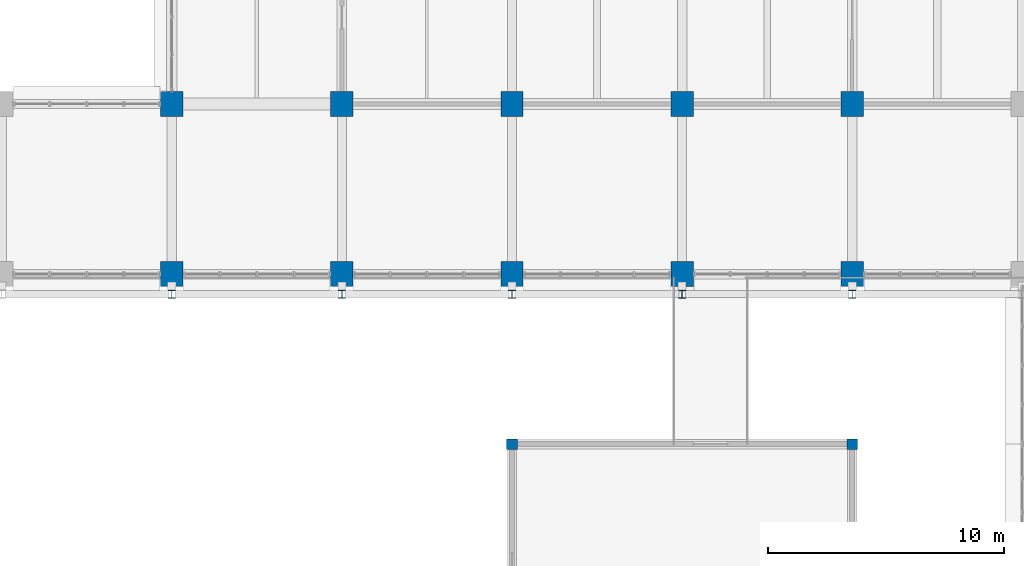
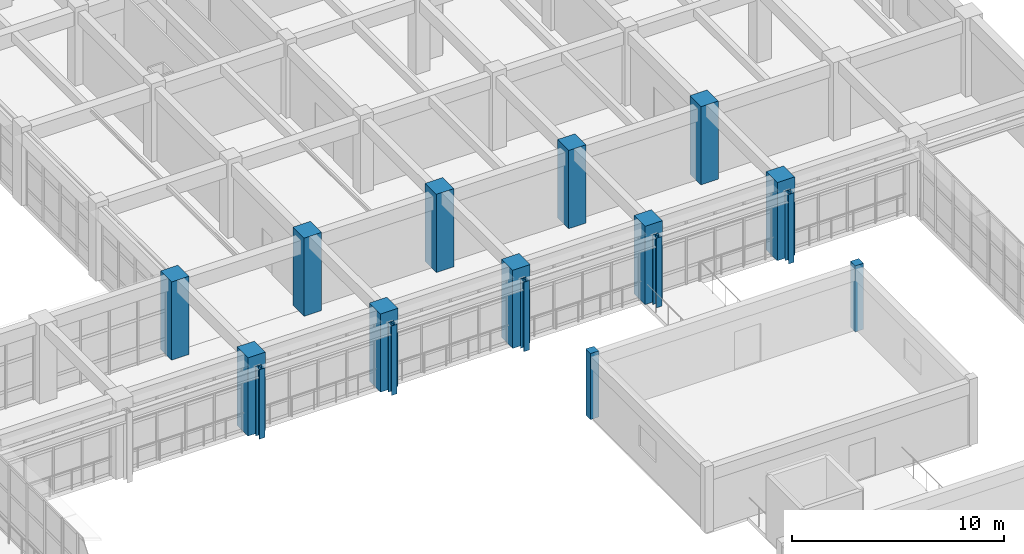
# One storey, part 8 of 171: 17 columns.
"""IFC4 building model written with IfcOpenShell, lengths in metres."""

from ifc_helpers import new_model, si_unit, direction, frame, origin, origin_2d, place, context, subcontext, project, spatial, rectangle, i_section, extrude, material, material_profile, profile_set, type_object, element, save


model = new_model("IFC4")

# Units and contexts
model_context = context("Model", 3, precision=1e-05, world=origin(), true_north=direction((0.0, 1.0)))
body_context = subcontext(model_context, "Body", "Model", "MODEL_VIEW")
ifc_project = project(units=[si_unit("LENGTHUNIT", "METRE"), si_unit("AREAUNIT", "SQUARE_METRE"), si_unit("VOLUMEUNIT", "CUBIC_METRE"), si_unit("PLANEANGLEUNIT", "RADIAN"), si_unit("MASSUNIT", "GRAM", prefix="KILO")], contexts=[model_context])

# Site, building, storey
site_placement = place(None, origin())
site = spatial("IfcSite", under=ifc_project, at=site_placement, CompositionType="ELEMENT")
building_placement = place(site_placement, origin())
building = spatial("IfcBuilding", under=site, at=building_placement, Name="Thalmaran Polytechnic", CompositionType="ELEMENT")
storey_placement = place(building_placement, frame((0.0, 0.0, 5.39990234375)))
storey = spatial("IfcBuildingStorey", under=building, at=storey_placement, Name="L01", CompositionType="ELEMENT", Elevation=5.39990234375)

# Columns
ifc_material_1 = material(Name="Concrete C40/50", Category="concrete")
ifc_material_profile_1 = material_profile(ifc_material_1, rectangle(XDim=0.449951171875, YDim=0.449951171875, at=origin_2d()), Name="RC 450x450")
ifc_profile_set_1 = profile_set([ifc_material_profile_1], Name="Concrete C40/50")
column_type_1 = type_object("IfcColumnType", Name="COL-C10", PredefinedType="COLUMN", material=ifc_profile_set_1)
for number, where, z_axis, x_axis, name in (
    (1, (144.0, 43.199951171875, 0.0), (0.0, 0.0, 1.0), (1.0, 0.0, 0.0), "POD4 Upper Column L01"),
    (2, (158.39990234375, 43.199951171875, 0.0), (0.0, 0.0, 1.0), (1.0, 0.0, 0.0), "POD4 Upper Column L01"),
):
    element("IfcColumn", number, at=place(storey_placement, frame(where, z_axis=z_axis, x_axis=x_axis)), inside=storey, type_object=column_type_1, Name=name, PredefinedType="COLUMN", context=body_context, shape_type="SweptSolid", body=[
        extrude(rectangle(XDim=0.449951171875, YDim=0.449951171875, at=origin_2d()), origin(), (0.0, 0.0, 1.0), 3.800048828125),
    ])
ifc_material_2 = material(Name="Steel S355", Category="steel")
ifc_material_profile_2 = material_profile(ifc_material_2, i_section(OverallWidth=0.300048828125, OverallDepth=0.340087890625, WebThickness=0.011962890625, FlangeThickness=0.021484375, at=origin_2d()), Name="HEB 340")
ifc_profile_set_2 = profile_set([ifc_material_profile_2], Name="Steel S355")
column_type_2 = type_object("IfcColumnType", Name="COL-SC1", PredefinedType="COLUMN", material=ifc_profile_set_2)
for number, where, z_axis, x_axis, name in (
    (3, (129.60009765625, 49.550048828125, 0.0), (0.0, 0.0, 1.0), (1.0, 0.0, 0.0), "Workshop Crane Runway Column L01 (18,7)"),
    (4, (136.800048828125, 49.550048828125, 0.0), (0.0, 0.0, 1.0), (1.0, 0.0, 0.0), "Workshop Crane Runway Column L01 (19,7)"),
    (5, (144.0, 49.550048828125, 0.0), (0.0, 0.0, 1.0), (1.0, 0.0, 0.0), "Workshop Crane Runway Column L01 (20,7)"),
    (6, (151.199951171875, 49.550048828125, 0.0), (0.0, 0.0, 1.0), (1.0, 0.0, 0.0), "Workshop Crane Runway Column L01 (21,7)"),
    (7, (158.39990234375, 49.550048828125, 0.0), (0.0, 0.0, 1.0), (1.0, 0.0, 0.0), "Workshop Crane Runway Column L01 (22,7)"),
):
    element("IfcColumn", number, at=place(storey_placement, frame(where, z_axis=z_axis, x_axis=x_axis)), inside=storey, type_object=column_type_2, Name=name, PredefinedType="COLUMN", context=body_context, shape_type="SweptSolid", body=[
        extrude(i_section(OverallWidth=0.300048828125, OverallDepth=0.340087890625, WebThickness=0.011962890625, FlangeThickness=0.021484375, at=origin_2d()), origin(), (0.0, 0.0, 1.0), 4.0),
    ])
ifc_material_3 = material(Name="Concrete C50/60", Category="concrete")
ifc_material_profile_3 = material_profile(ifc_material_3, rectangle(XDim=0.949951171875, YDim=1.050048828125, at=origin_2d()), Name="RC 950x1050")
ifc_profile_set_3 = profile_set([ifc_material_profile_3], Name="Concrete C50/60")
column_type_3 = type_object("IfcColumnType", Name="COL-WP2", PredefinedType="COLUMN", material=ifc_profile_set_3)
for number, where, z_axis, x_axis, name in (
    (8, (129.60009765625, 50.39990234375, 0.0), (0.0, 0.0, 1.0), (1.0, 0.0, 0.0), "Column WP2 L01 (18,7)"),
    (9, (129.60009765625, 57.60009765625, 0.0), (0.0, 0.0, 1.0), (1.0, 0.0, 0.0), "Column WP2 L01 (18,8)"),
    (10, (136.800048828125, 50.39990234375, 0.0), (0.0, 0.0, 1.0), (1.0, 0.0, 0.0), "Column WP2 L01 (19,7)"),
    (11, (136.800048828125, 57.60009765625, 0.0), (0.0, 0.0, 1.0), (1.0, 0.0, 0.0), "Column WP2 L01 (19,8)"),
    (12, (144.0, 50.39990234375, 0.0), (0.0, 0.0, 1.0), (1.0, 0.0, 0.0), "Column WP2 L01 (20,7)"),
    (13, (144.0, 57.60009765625, 0.0), (0.0, 0.0, 1.0), (1.0, 0.0, 0.0), "Column WP2 L01 (20,8)"),
    (14, (151.199951171875, 50.39990234375, 0.0), (0.0, 0.0, 1.0), (1.0, 0.0, 0.0), "Column WP2 L01 (21,7)"),
    (15, (151.199951171875, 57.60009765625, 0.0), (0.0, 0.0, 1.0), (1.0, 0.0, 0.0), "Column WP2 L01 (21,8)"),
    (16, (158.39990234375, 50.39990234375, 0.0), (0.0, 0.0, 1.0), (1.0, 0.0, 0.0), "Column WP2 L01 (22,7)"),
    (17, (158.39990234375, 57.60009765625, 0.0), (0.0, 0.0, 1.0), (1.0, 0.0, 0.0), "Column WP2 L01 (22,8)"),
):
    element("IfcColumn", number, at=place(storey_placement, frame(where, z_axis=z_axis, x_axis=x_axis)), inside=storey, type_object=column_type_3, Name=name, PredefinedType="COLUMN", context=body_context, shape_type="SweptSolid", body=[
        extrude(rectangle(XDim=0.949951171875, YDim=1.050048828125, at=origin_2d()), origin(), (0.0, 0.0, 1.0), 4.5),
    ])

save(model, "model.ifc")
